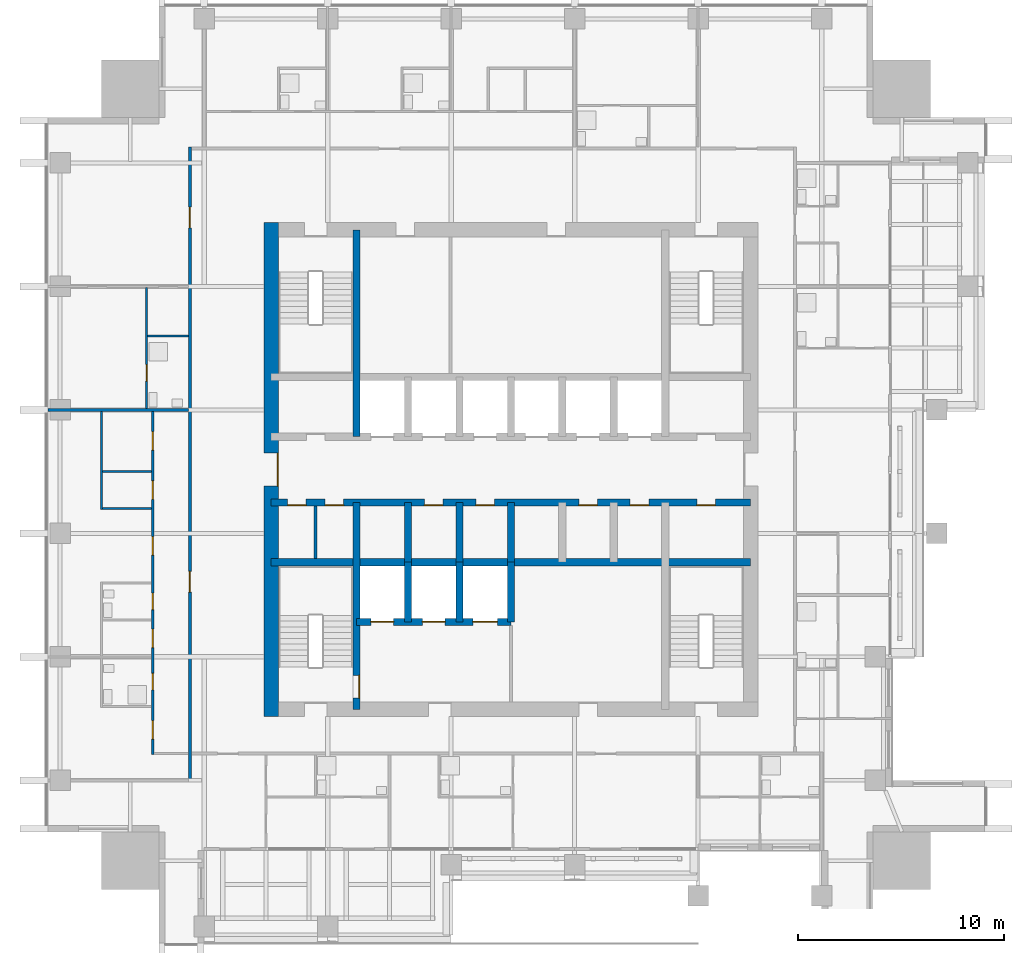
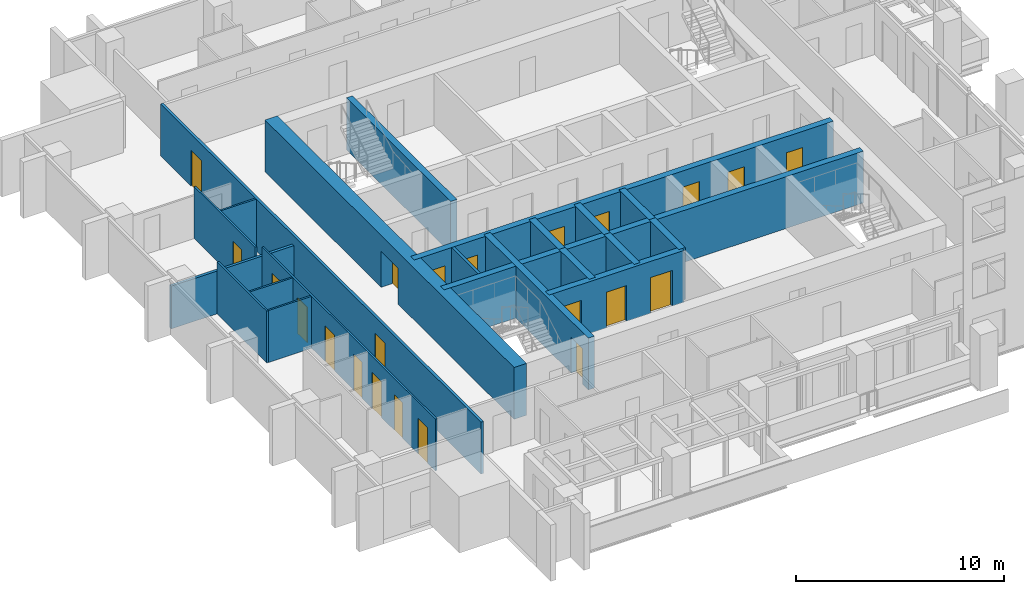
# One storey, part 9 of 16: 22 doors, 21 walls, 22 openings.
"""IFC4 building model written with IfcOpenShell, lengths in metres."""

from ifc_helpers import new_model, si_unit, direction, frame, frame_2d, origin, place, context, subcontext, project, spatial, rectangle, extrude, material, layer, layer_set, type_object, element, fill, save


model = new_model("IFC4")

# Units and contexts
model_context = context("Model", 3, precision=1e-05, world=origin(), true_north=direction((0.0, 1.0)))
body_context = subcontext(model_context, "Body", "Model", "MODEL_VIEW")
ifc_project = project(units=[si_unit("LENGTHUNIT", "METRE"), si_unit("AREAUNIT", "SQUARE_METRE"), si_unit("VOLUMEUNIT", "CUBIC_METRE"), si_unit("PLANEANGLEUNIT", "RADIAN"), si_unit("MASSUNIT", "GRAM", prefix="KILO")], contexts=[model_context])

# Site, building, storey
site_placement = place(None, origin())
site = spatial("IfcSite", under=ifc_project, at=site_placement, CompositionType="ELEMENT")
building_placement = place(site_placement, origin())
building = spatial("IfcBuilding", under=site, at=building_placement, Name="Amberfall Residences", CompositionType="ELEMENT")
storey_placement = place(building_placement, frame((0.0, 0.0, 164.800048828125)))
storey = spatial("IfcBuildingStorey", under=building, at=storey_placement, Name="L44", CompositionType="ELEMENT", Elevation=164.800048828125)

# Wall
ifc_material_1 = material(Name="Concrete C60", Category="concrete")
ifc_layer_1 = layer(ifc_material_1, 0.35009765625)
ifc_layer_set_1 = layer_set([ifc_layer_1], Name="Core wall 350 C60")
wall_type_1 = type_object("IfcWallType", Name="Core wall 350 C60", PredefinedType="SHEAR", material=ifc_layer_set_1)
wall_1_placement = place(storey_placement, frame((62.85009765625, 41.0, 0.0), z_axis=(0.0, 0.0, 1.0), x_axis=(1.0, 0.0, 0.0)))
element("IfcWall", 1, at=wall_1_placement, inside=storey, type_object=wall_type_1, Name="Core wall RW6 L44 H75", PredefinedType="SHEAR", context=body_context, shape_type="SweptSolid", body=[
    extrude(rectangle(XDim=23.2998046875, YDim=0.35009765625, at=frame_2d((11.64990234375, 0.0))), origin(), (0.0, 0.0, 1.0), 3.050048828125),
])

# Wall, openings, doors
wall_2_placement = place(storey_placement, frame((62.85009765625, 43.89990234375, 0.0), z_axis=(0.0, 0.0, 1.0), x_axis=(1.0, 0.0, 0.0)))
wall_2 = element("IfcWall", 2, at=wall_2_placement, inside=storey, type_object=wall_type_1, Name="Core wall RW6 L44 H104", PredefinedType="SHEAR", context=body_context, shape_type="SweptSolid", body=[
    extrude(rectangle(XDim=23.2998046875, YDim=0.35009765625, at=frame_2d((11.64990234375, 0.0))), origin(), (0.0, 0.0, 1.0), 3.050048828125),
])
opening_1_placement = place(wall_2_placement, frame((0.806396484375, 0.0, 0.0)))
opening_1 = element("IfcOpeningElement", 3, at=opening_1_placement, cuts=wall_2, Name="Opening RD1", PredefinedType="OPENING", context=body_context, shape_type="SweptSolid", body=[
    extrude(rectangle(XDim=0.89990234375, YDim=2.10009765625, at=frame_2d((0.449951171875, 1.050048828125))), frame((0.0, 0.18505859375, 0.0), z_axis=(0.0, -1.0, 0.0), x_axis=(1.0, 0.0, 0.0)), (0.0, 0.0, 1.0), 0.3701171875),
])
opening_2_placement = place(wall_2_placement, frame((2.618896484375, 0.0, 0.0)))
opening_2 = element("IfcOpeningElement", 4, at=opening_2_placement, cuts=wall_2, Name="Opening RD1", PredefinedType="OPENING", context=body_context, shape_type="SweptSolid", body=[
    extrude(rectangle(XDim=0.89990234375, YDim=2.10009765625, at=frame_2d((0.449951171875, 1.050048828125))), frame((0.0, 0.18505859375, 0.0), z_axis=(0.0, -1.0, 0.0), x_axis=(1.0, 0.0, 0.0)), (0.0, 0.0, 1.0), 0.3701171875),
])
opening_3_placement = place(wall_2_placement, frame((20.6875, 0.0, 0.0)))
opening_3 = element("IfcOpeningElement", 5, at=opening_3_placement, cuts=wall_2, Name="Opening RD1", PredefinedType="OPENING", context=body_context, shape_type="SweptSolid", body=[
    extrude(rectangle(XDim=0.89990234375, YDim=2.10009765625, at=frame_2d((0.449951171875, 1.050048828125))), frame((0.0, 0.18505859375, 0.0), z_axis=(0.0, -1.0, 0.0), x_axis=(1.0, 0.0, 0.0)), (0.0, 0.0, 1.0), 0.3701171875),
])
opening_4_placement = place(wall_2_placement, frame((7.449951171875, 0.0, 0.0)))
opening_4 = element("IfcOpeningElement", 6, at=opening_4_placement, cuts=wall_2, Name="Opening RD1", PredefinedType="OPENING", context=body_context, shape_type="SweptSolid", body=[
    extrude(rectangle(XDim=0.89990234375, YDim=2.10009765625, at=frame_2d((0.449951171875, 1.050048828125))), frame((0.0, 0.18505859375, 0.0), z_axis=(0.0, -1.0, 0.0), x_axis=(1.0, 0.0, 0.0)), (0.0, 0.0, 1.0), 0.3701171875),
])
opening_5_placement = place(wall_2_placement, frame((9.949951171875, 0.0, 0.0)))
opening_5 = element("IfcOpeningElement", 7, at=opening_5_placement, cuts=wall_2, Name="Opening RD1", PredefinedType="OPENING", context=body_context, shape_type="SweptSolid", body=[
    extrude(rectangle(XDim=0.89990234375, YDim=2.10009765625, at=frame_2d((0.449951171875, 1.050048828125))), frame((0.0, 0.18505859375, 0.0), z_axis=(0.0, -1.0, 0.0), x_axis=(1.0, 0.0, 0.0)), (0.0, 0.0, 1.0), 0.3701171875),
])
opening_6_placement = place(wall_2_placement, frame((14.949951171875, 0.0, 0.0)))
opening_6 = element("IfcOpeningElement", 8, at=opening_6_placement, cuts=wall_2, Name="Opening RD1", PredefinedType="OPENING", context=body_context, shape_type="SweptSolid", body=[
    extrude(rectangle(XDim=0.89990234375, YDim=2.10009765625, at=frame_2d((0.449951171875, 1.050048828125))), frame((0.0, 0.18505859375, 0.0), z_axis=(0.0, -1.0, 0.0), x_axis=(1.0, 0.0, 0.0)), (0.0, 0.0, 1.0), 0.3701171875),
])
opening_7_placement = place(wall_2_placement, frame((17.449951171875, 0.0, 0.0)))
opening_7 = element("IfcOpeningElement", 9, at=opening_7_placement, cuts=wall_2, Name="Opening RD1", PredefinedType="OPENING", context=body_context, shape_type="SweptSolid", body=[
    extrude(rectangle(XDim=0.89990234375, YDim=2.10009765625, at=frame_2d((0.449951171875, 1.050048828125))), frame((0.0, 0.18505859375, 0.0), z_axis=(0.0, -1.0, 0.0), x_axis=(1.0, 0.0, 0.0)), (0.0, 0.0, 1.0), 0.3701171875),
])
ifc_material_2 = material(Name="Steel fire door set", Category="steel")
door_type_1 = type_object("IfcDoorType", Name="Service room door 900 x 2100", OperationType="SINGLE_SWING_LEFT", PredefinedType="DOOR", material=ifc_material_2)
door_1_placement = place(opening_1_placement, origin())
door_1 = element("IfcDoor", 10, at=door_1_placement, inside=storey, type_object=door_type_1, Name="RD1 L44", OperationType="SINGLE_SWING_LEFT", OverallHeight=2.10009765625, OverallWidth=0.89990234375, PredefinedType="DOOR", context=body_context, shape_type="SweptSolid", body=[
    extrude(rectangle(XDim=0.89990234375, YDim=2.10009765625, at=frame_2d((0.449951171875, 1.050048828125))), frame((0.0, -0.1123046875, 0.0), z_axis=(0.0, -1.0, 0.0), x_axis=(1.0, 0.0, 0.0)), (0.0, 0.0, 1.0), 0.050048828125),
])
fill(opening_1, door_1)
door_2_placement = place(opening_2_placement, origin())
door_2 = element("IfcDoor", 11, at=door_2_placement, inside=storey, type_object=door_type_1, Name="RD1 L44", OperationType="SINGLE_SWING_RIGHT", OverallHeight=2.10009765625, OverallWidth=0.89990234375, PredefinedType="DOOR", context=body_context, shape_type="SweptSolid", body=[
    extrude(rectangle(XDim=0.89990234375, YDim=2.10009765625, at=frame_2d((0.449951171875, 1.050048828125))), frame((0.0, -0.1123046875, 0.0), z_axis=(0.0, -1.0, 0.0), x_axis=(1.0, 0.0, 0.0)), (0.0, 0.0, 1.0), 0.050048828125),
])
fill(opening_2, door_2)
door_3_placement = place(opening_3_placement, origin())
door_3 = element("IfcDoor", 12, at=door_3_placement, inside=storey, type_object=door_type_1, Name="RD1 L44", OperationType="SINGLE_SWING_LEFT", OverallHeight=2.10009765625, OverallWidth=0.89990234375, PredefinedType="DOOR", context=body_context, shape_type="SweptSolid", body=[
    extrude(rectangle(XDim=0.89990234375, YDim=2.10009765625, at=frame_2d((0.449951171875, 1.050048828125))), frame((0.0, -0.1123046875, 0.0), z_axis=(0.0, -1.0, 0.0), x_axis=(1.0, 0.0, 0.0)), (0.0, 0.0, 1.0), 0.050048828125),
])
fill(opening_3, door_3)
door_4_placement = place(opening_4_placement, origin())
door_4 = element("IfcDoor", 13, at=door_4_placement, inside=storey, type_object=door_type_1, Name="RD1 L44", OperationType="SINGLE_SWING_LEFT", OverallHeight=2.10009765625, OverallWidth=0.89990234375, PredefinedType="DOOR", context=body_context, shape_type="SweptSolid", body=[
    extrude(rectangle(XDim=0.89990234375, YDim=2.10009765625, at=frame_2d((0.449951171875, 1.050048828125))), frame((0.0, -0.1123046875, 0.0), z_axis=(0.0, -1.0, 0.0), x_axis=(1.0, 0.0, 0.0)), (0.0, 0.0, 1.0), 0.050048828125),
])
fill(opening_4, door_4)
door_5_placement = place(opening_5_placement, origin())
door_5 = element("IfcDoor", 14, at=door_5_placement, inside=storey, type_object=door_type_1, Name="RD1 L44", OperationType="SINGLE_SWING_RIGHT", OverallHeight=2.10009765625, OverallWidth=0.89990234375, PredefinedType="DOOR", context=body_context, shape_type="SweptSolid", body=[
    extrude(rectangle(XDim=0.89990234375, YDim=2.10009765625, at=frame_2d((0.449951171875, 1.050048828125))), frame((0.0, -0.1123046875, 0.0), z_axis=(0.0, -1.0, 0.0), x_axis=(1.0, 0.0, 0.0)), (0.0, 0.0, 1.0), 0.050048828125),
])
fill(opening_5, door_5)
door_6_placement = place(opening_6_placement, origin())
door_6 = element("IfcDoor", 15, at=door_6_placement, inside=storey, type_object=door_type_1, Name="RD1 L44", OperationType="SINGLE_SWING_RIGHT", OverallHeight=2.10009765625, OverallWidth=0.89990234375, PredefinedType="DOOR", context=body_context, shape_type="SweptSolid", body=[
    extrude(rectangle(XDim=0.89990234375, YDim=2.10009765625, at=frame_2d((0.449951171875, 1.050048828125))), frame((0.0, -0.1123046875, 0.0), z_axis=(0.0, -1.0, 0.0), x_axis=(1.0, 0.0, 0.0)), (0.0, 0.0, 1.0), 0.050048828125),
])
fill(opening_6, door_6)
door_7_placement = place(opening_7_placement, origin())
door_7 = element("IfcDoor", 16, at=door_7_placement, inside=storey, type_object=door_type_1, Name="RD1 L44", OperationType="SINGLE_SWING_LEFT", OverallHeight=2.10009765625, OverallWidth=0.89990234375, PredefinedType="DOOR", context=body_context, shape_type="SweptSolid", body=[
    extrude(rectangle(XDim=0.89990234375, YDim=2.10009765625, at=frame_2d((0.449951171875, 1.050048828125))), frame((0.0, -0.1123046875, 0.0), z_axis=(0.0, -1.0, 0.0), x_axis=(1.0, 0.0, 0.0)), (0.0, 0.0, 1.0), 0.050048828125),
])
fill(opening_7, door_7)

# Wall, opening, door
wall_3_placement = place(storey_placement, frame((67.0, 33.85009765625, 0.0), z_axis=(0.0, 0.0, 1.0), x_axis=(0.0, 1.0, 0.0)))
wall_3 = element("IfcWall", 17, at=wall_3_placement, inside=storey, type_object=wall_type_1, Name="Core wall RW6 L44 V45S", PredefinedType="SHEAR", context=body_context, shape_type="SweptSolid", body=[
    extrude(rectangle(XDim=10.0498046875, YDim=0.35009765625, at=frame_2d((5.02490234375, 0.0))), origin(), (0.0, 0.0, 1.0), 3.050048828125),
])
opening_8_placement = place(wall_3_placement, frame((0.550048828125, 0.0, 0.0)))
opening_8 = element("IfcOpeningElement", 18, at=opening_8_placement, cuts=wall_3, Name="Opening FL1", PredefinedType="OPENING", context=body_context, shape_type="SweptSolid", body=[
    extrude(rectangle(XDim=1.10009765625, YDim=2.10009765625, at=frame_2d((0.550048828125, 1.050048828125))), frame((0.0, 0.18505859375, 0.0), z_axis=(0.0, -1.0, 0.0), x_axis=(1.0, 0.0, 0.0)), (0.0, 0.0, 1.0), 0.3701171875),
])
door_type_2 = type_object("IfcDoorType", Name="Firefighting lobby door 1100 x 2100", OperationType="SINGLE_SWING_LEFT", PredefinedType="DOOR", material=ifc_material_2)
door_8_placement = place(opening_8_placement, origin())
door_8 = element("IfcDoor", 19, at=door_8_placement, inside=storey, type_object=door_type_2, Name="FL1 L44", OperationType="SINGLE_SWING_RIGHT", OverallHeight=2.10009765625, OverallWidth=1.10009765625, PredefinedType="DOOR", context=body_context, shape_type="SweptSolid", body=[
    extrude(rectangle(XDim=1.10009765625, YDim=2.10009765625, at=frame_2d((0.550048828125, 1.050048828125))), frame((0.0, -0.1123046875, 0.0), z_axis=(0.0, -1.0, 0.0), x_axis=(1.0, 0.0, 0.0)), (0.0, 0.0, 1.0), 0.050048828125),
])
fill(opening_8, door_8)

# Walls
wall_4_placement = place(storey_placement, frame((67.0, 47.10009765625, 0.0), z_axis=(0.0, 0.0, 1.0), x_axis=(0.0, 1.0, 0.0)))
element("IfcWall", 20, at=wall_4_placement, inside=storey, type_object=wall_type_1, Name="Core wall RW6 L44 V45N", PredefinedType="SHEAR", context=body_context, shape_type="SweptSolid", body=[
    extrude(rectangle(XDim=10.0498046875, YDim=0.35009765625, at=frame_2d((5.02490234375, 0.0))), origin(), (0.0, 0.0, 1.0), 3.050048828125),
])
for number, where, z_axis, x_axis, name in (
    (21, (69.5, 41.0, 0.0), (0.0, 0.0, 1.0), (0.0, 1.0, 0.0), "Core wall RW6 L44 LPD1"),
    (22, (72.0, 41.0, 0.0), (0.0, 0.0, 1.0), (0.0, 1.0, 0.0), "Core wall RW6 L44 LPD2"),
    (23, (74.5, 41.0, 0.0), (0.0, 0.0, 1.0), (0.0, 1.0, 0.0), "Core wall RW6 L44 LPD3"),
):
    element("IfcWall", number, at=place(storey_placement, frame(where, z_axis=z_axis, x_axis=x_axis)), inside=storey, type_object=wall_type_1, Name=name, PredefinedType="SHEAR", context=body_context, shape_type="SweptSolid", body=[
        extrude(rectangle(XDim=2.89990234375, YDim=0.35009765625, at=frame_2d((1.449951171875, 0.0))), origin(), (0.0, 0.0, 1.0), 3.050048828125),
    ])

# Wall, openings, doors
wall_5_placement = place(storey_placement, frame((67.0, 38.10009765625, 0.0), z_axis=(0.0, 0.0, 1.0), x_axis=(1.0, 0.0, 0.0)))
wall_5 = element("IfcWall", 24, at=wall_5_placement, inside=storey, type_object=wall_type_1, Name="Core wall RW6 L44 FFF", PredefinedType="SHEAR", context=body_context, shape_type="SweptSolid", body=[
    extrude(rectangle(XDim=7.5, YDim=0.35009765625, at=frame_2d((3.75, 0.0))), origin(), (0.0, 0.0, 1.0), 3.050048828125),
])
opening_9_placement = place(wall_5_placement, frame((0.699951171875, 0.0, 0.0)))
opening_9 = element("IfcOpeningElement", 25, at=opening_9_placement, cuts=wall_5, Name="Opening LD2", PredefinedType="OPENING", context=body_context, shape_type="SweptSolid", body=[
    extrude(rectangle(XDim=1.10009765625, YDim=2.10009765625, at=frame_2d((0.550048828125, 1.050048828125))), frame((0.0, 0.18505859375, 0.0), z_axis=(0.0, -1.0, 0.0), x_axis=(1.0, 0.0, 0.0)), (0.0, 0.0, 1.0), 0.3701171875),
])
opening_10_placement = place(wall_5_placement, frame((3.199951171875, 0.0, 0.0)))
opening_10 = element("IfcOpeningElement", 26, at=opening_10_placement, cuts=wall_5, Name="Opening LD2", PredefinedType="OPENING", context=body_context, shape_type="SweptSolid", body=[
    extrude(rectangle(XDim=1.10009765625, YDim=2.10009765625, at=frame_2d((0.550048828125, 1.050048828125))), frame((0.0, 0.18505859375, 0.0), z_axis=(0.0, -1.0, 0.0), x_axis=(1.0, 0.0, 0.0)), (0.0, 0.0, 1.0), 0.3701171875),
])
opening_11_placement = place(wall_5_placement, frame((5.64990234375, 0.0, 0.0)))
opening_11 = element("IfcOpeningElement", 27, at=opening_11_placement, cuts=wall_5, Name="Opening LD3", PredefinedType="OPENING", context=body_context, shape_type="SweptSolid", body=[
    extrude(rectangle(XDim=1.199951171875, YDim=2.10009765625, at=frame_2d((0.60009765625, 1.050048828125))), frame((0.0, 0.18505859375, 0.0), z_axis=(0.0, -1.0, 0.0), x_axis=(1.0, 0.0, 0.0)), (0.0, 0.0, 1.0), 0.3701171875),
])
door_type_3 = type_object("IfcDoorType", Name="Firefighting lift landing door 1100 x 2100", OperationType="DOUBLE_DOOR_SLIDING", PredefinedType="DOOR", material=ifc_material_2)
door_9_placement = place(opening_9_placement, origin())
door_9 = element("IfcDoor", 28, at=door_9_placement, inside=storey, type_object=door_type_3, Name="Landing door FF1 L44", OperationType="DOUBLE_DOOR_SLIDING", OverallHeight=2.10009765625, OverallWidth=1.10009765625, PredefinedType="DOOR", context=body_context, shape_type="SweptSolid", body=[
    extrude(rectangle(XDim=1.10009765625, YDim=2.10009765625, at=frame_2d((0.550048828125, 1.050048828125))), frame((0.0, 0.02490234375, 0.0), z_axis=(0.0, -1.0, 0.0), x_axis=(1.0, 0.0, 0.0)), (0.0, 0.0, 1.0), 0.050048828125),
])
fill(opening_9, door_9)
door_10_placement = place(opening_10_placement, origin())
door_10 = element("IfcDoor", 29, at=door_10_placement, inside=storey, type_object=door_type_3, Name="Landing door FF2 L44", OperationType="DOUBLE_DOOR_SLIDING", OverallHeight=2.10009765625, OverallWidth=1.10009765625, PredefinedType="DOOR", context=body_context, shape_type="SweptSolid", body=[
    extrude(rectangle(XDim=1.10009765625, YDim=2.10009765625, at=frame_2d((0.550048828125, 1.050048828125))), frame((0.0, 0.02490234375, 0.0), z_axis=(0.0, -1.0, 0.0), x_axis=(1.0, 0.0, 0.0)), (0.0, 0.0, 1.0), 0.050048828125),
])
fill(opening_10, door_10)
door_type_4 = type_object("IfcDoorType", Name="Service lift landing door 1200 x 2100", OperationType="DOUBLE_DOOR_SLIDING", PredefinedType="DOOR", material=ifc_material_2)
door_11_placement = place(opening_11_placement, origin())
door_11 = element("IfcDoor", 30, at=door_11_placement, inside=storey, type_object=door_type_4, Name="Landing door SL1 L44", OperationType="DOUBLE_DOOR_SLIDING", OverallHeight=2.10009765625, OverallWidth=1.199951171875, PredefinedType="DOOR", context=body_context, shape_type="SweptSolid", body=[
    extrude(rectangle(XDim=1.199951171875, YDim=2.10009765625, at=frame_2d((0.60009765625, 1.050048828125))), frame((0.0, 0.02490234375, 0.0), z_axis=(0.0, -1.0, 0.0), x_axis=(1.0, 0.0, 0.0)), (0.0, 0.0, 1.0), 0.050048828125),
])
fill(opening_11, door_11)

# Walls
for number, where, z_axis, x_axis, name in (
    (31, (69.5, 38.10009765625, 0.0), (0.0, 0.0, 1.0), (0.0, 1.0, 0.0), "Core wall RW6 L44 FFD1"),
    (32, (72.0, 38.10009765625, 0.0), (0.0, 0.0, 1.0), (0.0, 1.0, 0.0), "Core wall RW6 L44 FFD2"),
    (33, (74.5, 38.10009765625, 0.0), (0.0, 0.0, 1.0), (0.0, 1.0, 0.0), "Core wall RW6 L44 FFD3"),
):
    element("IfcWall", number, at=place(storey_placement, frame(where, z_axis=z_axis, x_axis=x_axis)), inside=storey, type_object=wall_type_1, Name=name, PredefinedType="SHEAR", context=body_context, shape_type="SweptSolid", body=[
        extrude(rectangle(XDim=2.89990234375, YDim=0.35009765625, at=frame_2d((1.449951171875, 0.0))), origin(), (0.0, 0.0, 1.0), 3.050048828125),
    ])

# Wall, opening, door
ifc_layer_2 = layer(ifc_material_1, 0.699951171875)
ifc_layer_set_2 = layer_set([ifc_layer_2], Name="Core wall 700 C60")
wall_type_2 = type_object("IfcWallType", Name="Core wall 700 C60", PredefinedType="SHEAR", material=ifc_layer_set_2)
wall_6_placement = place(storey_placement, frame((62.85009765625, 33.5, 0.0), z_axis=(0.0, 0.0, 1.0), x_axis=(0.0, 1.0, 0.0)))
wall_6 = element("IfcWall", 34, at=wall_6_placement, inside=storey, type_object=wall_type_2, Name="Core wall RW5 L44 OW", PredefinedType="SHEAR", context=body_context, shape_type="SweptSolid", body=[
    extrude(rectangle(XDim=24.0, YDim=0.699951171875, at=frame_2d((12.0, 0.0))), origin(), (0.0, 0.0, 1.0), 3.050048828125),
])
opening_12_placement = place(wall_6_placement, frame((11.199951171875, 0.0, 0.0)))
opening_12 = element("IfcOpeningElement", 35, at=opening_12_placement, cuts=wall_6, Name="Opening LB1", PredefinedType="OPENING", context=body_context, shape_type="SweptSolid", body=[
    extrude(rectangle(XDim=1.60009765625, YDim=2.10009765625, at=frame_2d((0.800048828125, 1.050048828125))), frame((0.0, 0.35986328125, 0.0), z_axis=(0.0, -1.0, 0.0), x_axis=(1.0, 0.0, 0.0)), (0.0, 0.0, 1.0), 0.719970703125),
])
door_type_5 = type_object("IfcDoorType", Name="Lift lobby double door 1600 x 2100", OperationType="DOUBLE_DOOR_SINGLE_SWING", PredefinedType="DOOR", material=ifc_material_2)
door_12_placement = place(opening_12_placement, origin())
door_12 = element("IfcDoor", 36, at=door_12_placement, inside=storey, type_object=door_type_5, Name="LB1 L44", OperationType="DOUBLE_DOOR_SINGLE_SWING", OverallHeight=2.10009765625, OverallWidth=1.60009765625, PredefinedType="DOOR", context=body_context, shape_type="SweptSolid", body=[
    extrude(rectangle(XDim=1.60009765625, YDim=2.10009765625, at=frame_2d((0.800048828125, 1.050048828125))), frame((0.0, -0.28759765625, 0.0), z_axis=(0.0, -1.0, 0.0), x_axis=(1.0, 0.0, 0.0)), (0.0, 0.0, 1.0), 0.050048828125),
])
fill(opening_12, door_12)

# Wall
ifc_material_3 = material(Name="Gypsum board on metal stud")
ifc_layer_3 = layer(ifc_material_3, 0.10009765625)
ifc_layer_set_3 = layer_set([ifc_layer_3], Name="Flat partition 100")
wall_type_3 = type_object("IfcWallType", Name="Flat partition 100", PredefinedType="PARTITIONING", material=ifc_layer_set_3)
wall_7_placement = place(storey_placement, frame((54.60009765625, 43.550048828125, 0.0), z_axis=(0.0, 0.0, 1.0), x_axis=(0.0, 1.0, 0.0)))
element("IfcWall", 37, at=wall_7_placement, inside=storey, type_object=wall_type_3, Name="Partition 002", PredefinedType="PARTITIONING", context=body_context, shape_type="SweptSolid", body=[
    extrude(rectangle(XDim=4.77490234375, YDim=0.10009765625, at=frame_2d((2.387451171875, 0.0))), origin(), (0.0, 0.0, 1.0), 3.050048828125),
])

# Wall, opening, door
wall_8_placement = place(storey_placement, frame((56.800048828125, 54.35009765625, 0.0), z_axis=(0.0, 0.0, 1.0), x_axis=(0.0, -1.0, 0.0)))
wall_8 = element("IfcWall", 38, at=wall_8_placement, inside=storey, type_object=wall_type_3, Name="Partition 003", PredefinedType="PARTITIONING", context=body_context, shape_type="SweptSolid", body=[
    extrude(rectangle(XDim=5.875, YDim=0.10009765625, at=frame_2d((2.9375, 0.0))), origin(), (0.0, 0.0, 1.0), 3.050048828125),
])
opening_13_placement = place(wall_8_placement, frame((3.75, 0.0, 0.0)))
opening_13 = element("IfcOpeningElement", 39, at=opening_13_placement, cuts=wall_8, Name="Opening D42", PredefinedType="OPENING", context=body_context, shape_type="SweptSolid", body=[
    extrude(rectangle(XDim=0.800048828125, YDim=2.10009765625, at=frame_2d((0.39990234375, 1.050048828125))), frame((0.0, 0.06005859375, 0.0), z_axis=(0.0, -1.0, 0.0), x_axis=(1.0, 0.0, 0.0)), (0.0, 0.0, 1.0), 0.1201171875),
])
ifc_material_4 = material(Name="Timber", Category="wood")
door_type_6 = type_object("IfcDoorType", Name="Bathroom door 800 x 2100", OperationType="SINGLE_SWING_LEFT", PredefinedType="DOOR", material=ifc_material_4)
door_13_placement = place(opening_13_placement, origin())
door_13 = element("IfcDoor", 40, at=door_13_placement, inside=storey, type_object=door_type_6, Name="Door 4409 bath1", OperationType="SINGLE_SWING_LEFT", OverallHeight=2.10009765625, OverallWidth=0.800048828125, PredefinedType="DOOR", context=body_context, shape_type="SweptSolid", body=[
    extrude(rectangle(XDim=0.800048828125, YDim=2.10009765625, at=frame_2d((0.39990234375, 1.050048828125))), frame((0.0, 0.02490234375, 0.0), z_axis=(0.0, -1.0, 0.0), x_axis=(1.0, 0.0, 0.0)), (0.0, 0.0, 1.0), 0.050048828125),
])
fill(opening_13, door_13)

# Wall, openings, doors
wall_9_placement = place(storey_placement, frame((57.10009765625, 31.64990234375, 0.0), z_axis=(0.0, 0.0, 1.0), x_axis=(0.0, 1.0, 0.0)))
wall_9 = element("IfcWall", 41, at=wall_9_placement, inside=storey, type_object=wall_type_3, Name="Partition 004", PredefinedType="PARTITIONING", context=body_context, shape_type="SweptSolid", body=[
    extrude(rectangle(XDim=16.675048828125, YDim=0.10009765625, at=frame_2d((8.33740234375, 0.0))), origin(), (0.0, 0.0, 1.0), 3.050048828125),
])
opening_14_placement = place(wall_9_placement, frame((9.699951171875, 0.0, 0.0)))
opening_14 = element("IfcOpeningElement", 42, at=opening_14_placement, cuts=wall_9, Name="Opening D41", PredefinedType="OPENING", context=body_context, shape_type="SweptSolid", body=[
    extrude(rectangle(XDim=0.89990234375, YDim=2.10009765625, at=frame_2d((0.449951171875, 1.050048828125))), frame((0.0, 0.06005859375, 0.0), z_axis=(0.0, -1.0, 0.0), x_axis=(1.0, 0.0, 0.0)), (0.0, 0.0, 1.0), 0.1201171875),
])
opening_15_placement = place(wall_9_placement, frame((14.800048828125, 0.0, 0.0)))
opening_15 = element("IfcOpeningElement", 43, at=opening_15_placement, cuts=wall_9, Name="Opening D41", PredefinedType="OPENING", context=body_context, shape_type="SweptSolid", body=[
    extrude(rectangle(XDim=0.89990234375, YDim=2.10009765625, at=frame_2d((0.449951171875, 1.050048828125))), frame((0.0, 0.06005859375, 0.0), z_axis=(0.0, -1.0, 0.0), x_axis=(1.0, 0.0, 0.0)), (0.0, 0.0, 1.0), 0.1201171875),
])
opening_16_placement = place(wall_9_placement, frame((12.39990234375, 0.0, 0.0)))
opening_16 = element("IfcOpeningElement", 44, at=opening_16_placement, cuts=wall_9, Name="Opening D41", PredefinedType="OPENING", context=body_context, shape_type="SweptSolid", body=[
    extrude(rectangle(XDim=0.89990234375, YDim=2.10009765625, at=frame_2d((0.449951171875, 1.050048828125))), frame((0.0, 0.06005859375, 0.0), z_axis=(0.0, -1.0, 0.0), x_axis=(1.0, 0.0, 0.0)), (0.0, 0.0, 1.0), 0.1201171875),
])
opening_17_placement = place(wall_9_placement, frame((5.199951171875, 0.0, 0.0)))
opening_17 = element("IfcOpeningElement", 45, at=opening_17_placement, cuts=wall_9, Name="Opening D41", PredefinedType="OPENING", context=body_context, shape_type="SweptSolid", body=[
    extrude(rectangle(XDim=0.89990234375, YDim=2.10009765625, at=frame_2d((0.449951171875, 1.050048828125))), frame((0.0, 0.06005859375, 0.0), z_axis=(0.0, -1.0, 0.0), x_axis=(1.0, 0.0, 0.0)), (0.0, 0.0, 1.0), 0.1201171875),
])
opening_18_placement = place(wall_9_placement, frame((7.050048828125, 0.0, 0.0)))
opening_18 = element("IfcOpeningElement", 46, at=opening_18_placement, cuts=wall_9, Name="Opening D42", PredefinedType="OPENING", context=body_context, shape_type="SweptSolid", body=[
    extrude(rectangle(XDim=0.800048828125, YDim=2.10009765625, at=frame_2d((0.39990234375, 1.050048828125))), frame((0.0, 0.06005859375, 0.0), z_axis=(0.0, -1.0, 0.0), x_axis=(1.0, 0.0, 0.0)), (0.0, 0.0, 1.0), 0.1201171875),
])
opening_19_placement = place(wall_9_placement, frame((0.75, 0.0, 0.0)))
opening_19 = element("IfcOpeningElement", 47, at=opening_19_placement, cuts=wall_9, Name="Opening D41", PredefinedType="OPENING", context=body_context, shape_type="SweptSolid", body=[
    extrude(rectangle(XDim=0.89990234375, YDim=2.10009765625, at=frame_2d((0.449951171875, 1.050048828125))), frame((0.0, 0.06005859375, 0.0), z_axis=(0.0, -1.0, 0.0), x_axis=(1.0, 0.0, 0.0)), (0.0, 0.0, 1.0), 0.1201171875),
])
opening_20_placement = place(wall_9_placement, frame((3.14990234375, 0.0, 0.0)))
opening_20 = element("IfcOpeningElement", 48, at=opening_20_placement, cuts=wall_9, Name="Opening D42", PredefinedType="OPENING", context=body_context, shape_type="SweptSolid", body=[
    extrude(rectangle(XDim=0.800048828125, YDim=2.10009765625, at=frame_2d((0.39990234375, 1.050048828125))), frame((0.0, 0.06005859375, 0.0), z_axis=(0.0, -1.0, 0.0), x_axis=(1.0, 0.0, 0.0)), (0.0, 0.0, 1.0), 0.1201171875),
])
door_14_placement = place(opening_18_placement, origin())
door_14 = element("IfcDoor", 49, at=door_14_placement, inside=storey, type_object=door_type_6, Name="Door 4408 wc1", OperationType="SINGLE_SWING_LEFT", OverallHeight=2.10009765625, OverallWidth=0.800048828125, PredefinedType="DOOR", context=body_context, shape_type="SweptSolid", body=[
    extrude(rectangle(XDim=0.800048828125, YDim=2.10009765625, at=frame_2d((0.39990234375, 1.050048828125))), frame((0.0, 0.02490234375, 0.0), z_axis=(0.0, -1.0, 0.0), x_axis=(1.0, 0.0, 0.0)), (0.0, 0.0, 1.0), 0.050048828125),
])
fill(opening_18, door_14)
door_15_placement = place(opening_20_placement, origin())
door_15 = element("IfcDoor", 50, at=door_15_placement, inside=storey, type_object=door_type_6, Name="Door 4408 bath1", OperationType="SINGLE_SWING_LEFT", OverallHeight=2.10009765625, OverallWidth=0.800048828125, PredefinedType="DOOR", context=body_context, shape_type="SweptSolid", body=[
    extrude(rectangle(XDim=0.800048828125, YDim=2.10009765625, at=frame_2d((0.39990234375, 1.050048828125))), frame((0.0, 0.02490234375, 0.0), z_axis=(0.0, -1.0, 0.0), x_axis=(1.0, 0.0, 0.0)), (0.0, 0.0, 1.0), 0.050048828125),
])
fill(opening_20, door_15)
door_type_7 = type_object("IfcDoorType", Name="Internal door 900 x 2100", OperationType="SINGLE_SWING_LEFT", PredefinedType="DOOR", material=ifc_material_4)
door_16_placement = place(opening_14_placement, origin())
door_16 = element("IfcDoor", 51, at=door_16_placement, inside=storey, type_object=door_type_7, Name="Door 4408 living", OperationType="SINGLE_SWING_LEFT", OverallHeight=2.10009765625, OverallWidth=0.89990234375, PredefinedType="DOOR", context=body_context, shape_type="SweptSolid", body=[
    extrude(rectangle(XDim=0.89990234375, YDim=2.10009765625, at=frame_2d((0.449951171875, 1.050048828125))), frame((0.0, 0.02490234375, 0.0), z_axis=(0.0, -1.0, 0.0), x_axis=(1.0, 0.0, 0.0)), (0.0, 0.0, 1.0), 0.050048828125),
])
fill(opening_14, door_16)
door_17_placement = place(opening_15_placement, origin())
door_17 = element("IfcDoor", 52, at=door_17_placement, inside=storey, type_object=door_type_7, Name="Door 4408 kitchen", OperationType="SINGLE_SWING_LEFT", OverallHeight=2.10009765625, OverallWidth=0.89990234375, PredefinedType="DOOR", context=body_context, shape_type="SweptSolid", body=[
    extrude(rectangle(XDim=0.89990234375, YDim=2.10009765625, at=frame_2d((0.449951171875, 1.050048828125))), frame((0.0, 0.02490234375, 0.0), z_axis=(0.0, -1.0, 0.0), x_axis=(1.0, 0.0, 0.0)), (0.0, 0.0, 1.0), 0.050048828125),
])
fill(opening_15, door_17)
door_18_placement = place(opening_16_placement, origin())
door_18 = element("IfcDoor", 53, at=door_18_placement, inside=storey, type_object=door_type_7, Name="Door 4408 utility", OperationType="SINGLE_SWING_LEFT", OverallHeight=2.10009765625, OverallWidth=0.89990234375, PredefinedType="DOOR", context=body_context, shape_type="SweptSolid", body=[
    extrude(rectangle(XDim=0.89990234375, YDim=2.10009765625, at=frame_2d((0.449951171875, 1.050048828125))), frame((0.0, 0.02490234375, 0.0), z_axis=(0.0, -1.0, 0.0), x_axis=(1.0, 0.0, 0.0)), (0.0, 0.0, 1.0), 0.050048828125),
])
fill(opening_16, door_18)
door_19_placement = place(opening_17_placement, origin())
door_19 = element("IfcDoor", 54, at=door_19_placement, inside=storey, type_object=door_type_7, Name="Door 4408 store", OperationType="SINGLE_SWING_LEFT", OverallHeight=2.10009765625, OverallWidth=0.89990234375, PredefinedType="DOOR", context=body_context, shape_type="SweptSolid", body=[
    extrude(rectangle(XDim=0.89990234375, YDim=2.10009765625, at=frame_2d((0.449951171875, 1.050048828125))), frame((0.0, 0.02490234375, 0.0), z_axis=(0.0, -1.0, 0.0), x_axis=(1.0, 0.0, 0.0)), (0.0, 0.0, 1.0), 0.050048828125),
])
fill(opening_17, door_19)
door_20_placement = place(opening_19_placement, origin())
door_20 = element("IfcDoor", 55, at=door_20_placement, inside=storey, type_object=door_type_7, Name="Door 4408 bedroom1", OperationType="SINGLE_SWING_LEFT", OverallHeight=2.10009765625, OverallWidth=0.89990234375, PredefinedType="DOOR", context=body_context, shape_type="SweptSolid", body=[
    extrude(rectangle(XDim=0.89990234375, YDim=2.10009765625, at=frame_2d((0.449951171875, 1.050048828125))), frame((0.0, 0.02490234375, 0.0), z_axis=(0.0, -1.0, 0.0), x_axis=(1.0, 0.0, 0.0)), (0.0, 0.0, 1.0), 0.050048828125),
])
fill(opening_19, door_20)

# Walls
wall_10_placement = place(storey_placement, frame((56.85009765625, 52.0, 0.0), z_axis=(0.0, 0.0, 1.0), x_axis=(1.0, 0.0, 0.0)))
element("IfcWall", 56, at=wall_10_placement, inside=storey, type_object=wall_type_3, Name="Partition 030", PredefinedType="PARTITIONING", context=body_context, shape_type="SweptSolid", body=[
    extrude(rectangle(XDim=1.974853515625, YDim=0.10009765625, at=frame_2d((0.9873046875, 0.0))), origin(), (0.0, 0.0, 1.0), 3.050048828125),
])
for number, where, z_axis, x_axis, name in (
    (57, (54.64990234375, 45.39990234375, 0.0), (0.0, 0.0, 1.0), (1.0, 0.0, 0.0), "Partition 032"),
    (58, (54.64990234375, 43.60009765625, 0.0), (0.0, 0.0, 1.0), (1.0, 0.0, 0.0), "Partition 033"),
):
    element("IfcWall", number, at=place(storey_placement, frame(where, z_axis=z_axis, x_axis=x_axis)), inside=storey, type_object=wall_type_3, Name=name, PredefinedType="PARTITIONING", context=body_context, shape_type="SweptSolid", body=[
        extrude(rectangle(XDim=2.400146484375, YDim=0.10009765625, at=frame_2d((1.2001953125, 0.0))), origin(), (0.0, 0.0, 1.0), 3.050048828125),
    ])

# Wall, openings, doors
ifc_material_5 = material(Name="Blockwork, plastered", Category="masonry")
ifc_layer_4 = layer(ifc_material_5, 0.14990234375)
ifc_layer_set_4 = layer_set([ifc_layer_4], Name="Flat separating wall 150")
wall_type_4 = type_object("IfcWallType", Name="Flat separating wall 150", PredefinedType="PARTITIONING", material=ifc_layer_set_4)
wall_11_placement = place(storey_placement, frame((58.89990234375, 30.324951171875, 0.0), z_axis=(0.0, 0.0, 1.0), x_axis=(0.0, 1.0, 0.0)))
wall_11 = element("IfcWall", 59, at=wall_11_placement, inside=storey, type_object=wall_type_4, Name="Separating wall 045", PredefinedType="PARTITIONING", context=body_context, shape_type="SweptSolid", body=[
    extrude(rectangle(XDim=30.85009765625, YDim=0.14990234375, at=frame_2d((15.425048828125, 0.0))), origin(), (0.0, 0.0, 1.0), 3.050048828125),
])
opening_21_placement = place(wall_11_placement, frame((9.22509765625, 0.0, 0.0)))
opening_21 = element("IfcOpeningElement", 60, at=opening_21_placement, cuts=wall_11, Name="Opening D40", PredefinedType="OPENING", context=body_context, shape_type="SweptSolid", body=[
    extrude(rectangle(XDim=1.0, YDim=2.10009765625, at=frame_2d((0.5, 1.050048828125))), frame((0.0, 0.0849609375, 0.0), z_axis=(0.0, -1.0, 0.0), x_axis=(1.0, 0.0, 0.0)), (0.0, 0.0, 1.0), 0.169921875),
])
opening_22_placement = place(wall_11_placement, frame((26.925048828125, 0.0, 0.0)))
opening_22 = element("IfcOpeningElement", 61, at=opening_22_placement, cuts=wall_11, Name="Opening D40", PredefinedType="OPENING", context=body_context, shape_type="SweptSolid", body=[
    extrude(rectangle(XDim=1.0, YDim=2.10009765625, at=frame_2d((0.5, 1.050048828125))), frame((0.0, 0.0849609375, 0.0), z_axis=(0.0, -1.0, 0.0), x_axis=(1.0, 0.0, 0.0)), (0.0, 0.0, 1.0), 0.169921875),
])
ifc_material_6 = material(Name="Timber, fire-rated", Category="wood")
door_type_8 = type_object("IfcDoorType", Name="Flat entrance door FD60 1000 x 2100", OperationType="SINGLE_SWING_LEFT", PredefinedType="DOOR", material=ifc_material_6)
door_21_placement = place(opening_21_placement, origin())
door_21 = element("IfcDoor", 62, at=door_21_placement, inside=storey, type_object=door_type_8, Name="Door 4408 entrance", OperationType="SINGLE_SWING_LEFT", OverallHeight=2.10009765625, OverallWidth=1.0, PredefinedType="DOOR", context=body_context, shape_type="SweptSolid", body=[
    extrude(rectangle(XDim=1.0, YDim=2.10009765625, at=frame_2d((0.5, 1.050048828125))), frame((0.0, 0.02490234375, 0.0), z_axis=(0.0, -1.0, 0.0), x_axis=(1.0, 0.0, 0.0)), (0.0, 0.0, 1.0), 0.050048828125),
])
fill(opening_21, door_21)
door_22_placement = place(opening_22_placement, origin())
door_22 = element("IfcDoor", 63, at=door_22_placement, inside=storey, type_object=door_type_8, Name="Door 4409 entrance", OperationType="SINGLE_SWING_LEFT", OverallHeight=2.10009765625, OverallWidth=1.0, PredefinedType="DOOR", context=body_context, shape_type="SweptSolid", body=[
    extrude(rectangle(XDim=1.0, YDim=2.10009765625, at=frame_2d((0.5, 1.050048828125))), frame((0.0, 0.02490234375, 0.0), z_axis=(0.0, -1.0, 0.0), x_axis=(1.0, 0.0, 0.0)), (0.0, 0.0, 1.0), 0.050048828125),
])
fill(opening_22, door_22)

# Walls
wall_12_placement = place(storey_placement, frame((52.0, 48.39990234375, 0.0), z_axis=(0.0, 0.0, 1.0), x_axis=(1.0, 0.0, 0.0)))
element("IfcWall", 64, at=wall_12_placement, inside=storey, type_object=wall_type_4, Name="Separating wall 054", PredefinedType="PARTITIONING", context=body_context, shape_type="SweptSolid", body=[
    extrude(rectangle(XDim=6.824951171875, YDim=0.14990234375, at=frame_2d((3.41259765625, 0.0))), origin(), (0.0, 0.0, 1.0), 2.515869140625),
])
ifc_material_7 = material(Name="Concrete blockwork", Category="masonry")
ifc_layer_5 = layer(ifc_material_7, 0.14990234375)
ifc_layer_set_5 = layer_set([ifc_layer_5], Name="Riser wall 150")
wall_type_5 = type_object("IfcWallType", Name="Riser wall 150", PredefinedType="PLUMBINGWALL", material=ifc_layer_set_5)
wall_13_placement = place(storey_placement, frame((65.012451171875, 41.175048828125, 0.0), z_axis=(0.0, 0.0, 1.0), x_axis=(0.0, 1.0, 0.0)))
element("IfcWall", 65, at=wall_13_placement, inside=storey, type_object=wall_type_5, Name="L44 core wall ASW0", PredefinedType="PLUMBINGWALL", context=body_context, shape_type="SweptSolid", body=[
    extrude(rectangle(XDim=2.550048828125, YDim=0.14990234375, at=frame_2d((1.27490234375, 0.0))), origin(), (0.0, 0.0, 1.0), 3.050048828125),
])

save(model, "model.ifc")
